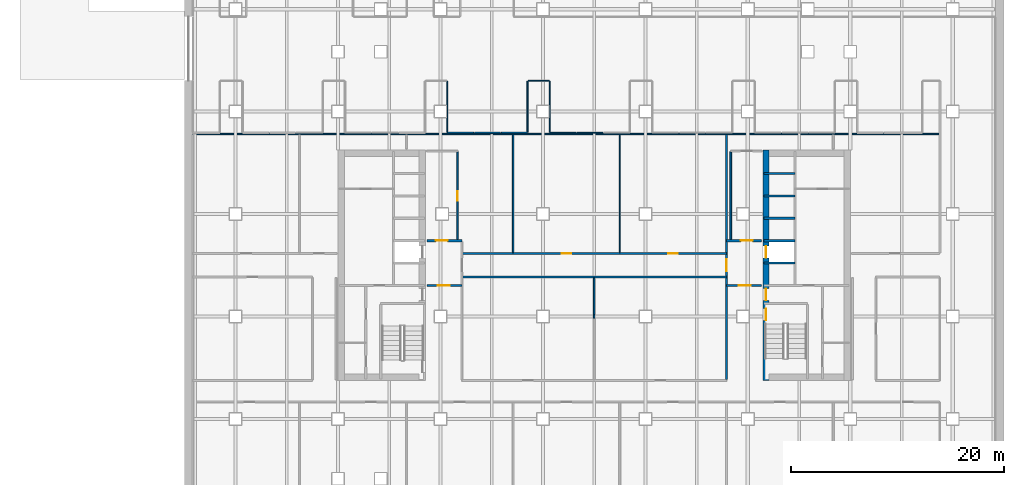
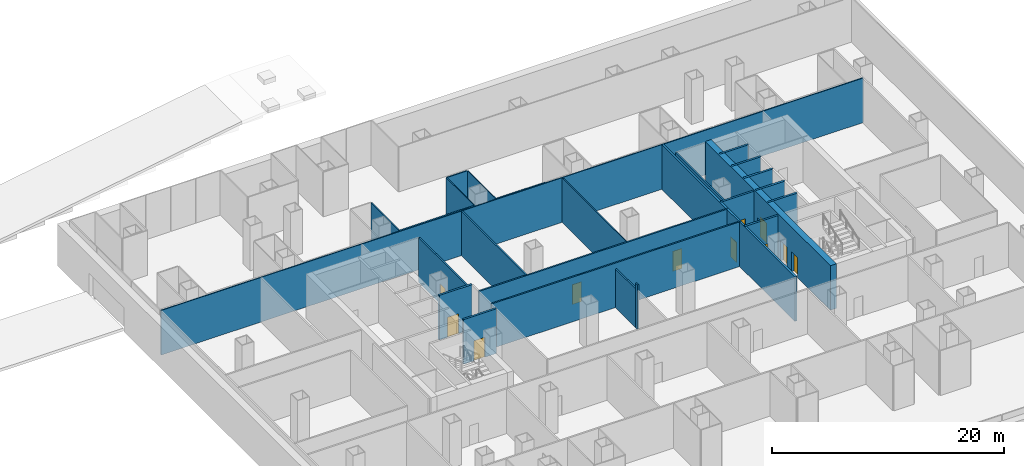
# One storey, part 8 of 11: 29 walls, 11 doors, 11 openings.
"""IFC4 building model written with IfcOpenShell, lengths in metres."""

from ifc_helpers import new_model, si_unit, direction, frame, frame_2d, origin, place, context, subcontext, project, spatial, rectangle, extrude, material, layer, layer_set, type_object, element, fill, save


model = new_model("IFC4")

# Units and contexts
model_context = context("Model", 3, precision=1e-05, world=origin(), true_north=direction((0.0, 1.0)))
body_context = subcontext(model_context, "Body", "Model", "MODEL_VIEW")
ifc_project = project(units=[si_unit("LENGTHUNIT", "METRE"), si_unit("AREAUNIT", "SQUARE_METRE"), si_unit("VOLUMEUNIT", "CUBIC_METRE"), si_unit("PLANEANGLEUNIT", "RADIAN"), si_unit("MASSUNIT", "GRAM", prefix="KILO")], contexts=[model_context])

# Site, building, storey
site_placement = place(None, origin())
site = spatial("IfcSite", under=ifc_project, at=site_placement, CompositionType="ELEMENT")
building_placement = place(site_placement, origin())
building = spatial("IfcBuilding", under=site, at=building_placement, Name="Cobrizo Arcos Hotel Tower", CompositionType="ELEMENT")
storey_placement = place(building_placement, frame((0.0, 0.0, -5.0)))
storey = spatial("IfcBuildingStorey", under=building, at=storey_placement, Name="B1", CompositionType="ELEMENT", Elevation=-5.0)

# Wall
ifc_material_1 = material(Name="Gypsum board partition")
ifc_layer_1 = layer(ifc_material_1, 0.14990234375)
ifc_layer_set_1 = layer_set([ifc_layer_1], Name="Corridor wall EI 60 150")
wall_type_1 = type_object("IfcWallType", Name="Corridor wall EI 60 150", PredefinedType="PARTITIONING", material=ifc_layer_set_1)
wall_1_placement = place(storey_placement, frame((-12.39990234375, -1.10009765625, 0.0), z_axis=(0.0, 0.0, 1.0), x_axis=(1.0, 0.0, 0.0)))
element("IfcWall", 1, at=wall_1_placement, inside=storey, type_object=wall_type_1, Name="Partition 072", PredefinedType="PARTITIONING", context=body_context, shape_type="SweptSolid", body=[
    extrude(rectangle(XDim=24.7998046875, YDim=0.14990234375, at=frame_2d((12.39990234375, 0.0))), origin(), (0.0, 0.0, 1.0), 4.699951171875),
])

# Wall, openings, doors
wall_2_placement = place(storey_placement, frame((-12.39990234375, 1.10009765625, 0.0), z_axis=(0.0, 0.0, 1.0), x_axis=(1.0, 0.0, 0.0)))
wall_2 = element("IfcWall", 2, at=wall_2_placement, inside=storey, type_object=wall_type_1, Name="Partition 077", PredefinedType="PARTITIONING", context=body_context, shape_type="SweptSolid", body=[
    extrude(rectangle(XDim=24.7998046875, YDim=0.14990234375, at=frame_2d((12.39990234375, 0.0))), origin(), (0.0, 0.0, 1.0), 4.699951171875),
])
opening_1_placement = place(wall_2_placement, frame((9.35009765625, 0.0, 0.0)))
opening_1 = element("IfcOpeningElement", 3, at=opening_1_placement, cuts=wall_2, Name="Opening RD-23", PredefinedType="OPENING", context=body_context, shape_type="SweptSolid", body=[
    extrude(rectangle(XDim=0.89990234375, YDim=2.10009765625, at=frame_2d((0.449951171875, 1.050048828125))), frame((0.0, 0.0869140625, 0.0), z_axis=(0.0, -1.0, 0.0), x_axis=(1.0, 0.0, 0.0)), (0.0, 0.0, 1.0), 0.173828125),
])
opening_2_placement = place(wall_2_placement, frame((19.35009765625, 0.0, 0.0)))
opening_2 = element("IfcOpeningElement", 4, at=opening_2_placement, cuts=wall_2, Name="Opening RD-24", PredefinedType="OPENING", context=body_context, shape_type="SweptSolid", body=[
    extrude(rectangle(XDim=0.89990234375, YDim=2.10009765625, at=frame_2d((0.449951171875, 1.050048828125))), frame((0.0, 0.0869140625, 0.0), z_axis=(0.0, -1.0, 0.0), x_axis=(1.0, 0.0, 0.0)), (0.0, 0.0, 1.0), 0.173828125),
])
ifc_material_2 = material(Name="Timber door leaf", Category="wood")
door_type_1 = type_object("IfcDoorType", Name="Room door FD30 900x2100", OperationType="SINGLE_SWING_LEFT", PredefinedType="DOOR", material=ifc_material_2)
door_1_placement = place(opening_1_placement, origin())
door_1 = element("IfcDoor", 5, at=door_1_placement, inside=storey, type_object=door_type_1, Name="Door RD-23", OperationType="SINGLE_SWING_LEFT", OverallHeight=2.10009765625, OverallWidth=0.89990234375, PredefinedType="DOOR", context=body_context, shape_type="SweptSolid", body=[
    extrude(rectangle(XDim=0.89990234375, YDim=2.10009765625, at=frame_2d((0.449951171875, 1.050048828125))), frame((0.0, 0.02490234375, 0.0), z_axis=(0.0, -1.0, 0.0), x_axis=(1.0, 0.0, 0.0)), (0.0, 0.0, 1.0), 0.050048828125),
])
fill(opening_1, door_1)
door_2_placement = place(opening_2_placement, origin())
door_2 = element("IfcDoor", 6, at=door_2_placement, inside=storey, type_object=door_type_1, Name="Door RD-24", OperationType="SINGLE_SWING_RIGHT", OverallHeight=2.10009765625, OverallWidth=0.89990234375, PredefinedType="DOOR", context=body_context, shape_type="SweptSolid", body=[
    extrude(rectangle(XDim=0.89990234375, YDim=2.10009765625, at=frame_2d((0.449951171875, 1.050048828125))), frame((0.0, 0.02490234375, 0.0), z_axis=(0.0, -1.0, 0.0), x_axis=(1.0, 0.0, 0.0)), (0.0, 0.0, 1.0), 0.050048828125),
])
fill(opening_2, door_2)

# Walls
wall_3_placement = place(storey_placement, frame((-13.75, 12.39990234375, 0.0), z_axis=(0.0, 0.0, 1.0), x_axis=(1.0, 0.0, 0.0)))
element("IfcWall", 7, at=wall_3_placement, inside=storey, type_object=wall_type_1, Name="Partition 101", PredefinedType="PARTITIONING", context=body_context, shape_type="SweptSolid", body=[
    extrude(rectangle(XDim=2.449951171875, YDim=0.14990234375, at=frame_2d((1.22509765625, 0.0))), origin(), (0.0, 0.0, 1.0), 4.699951171875),
])
wall_4_placement = place(storey_placement, frame((-11.199951171875, 12.39990234375, 0.0), z_axis=(0.0, 0.0, 1.0), x_axis=(1.0, 0.0, 0.0)))
element("IfcWall", 8, at=wall_4_placement, inside=storey, type_object=wall_type_1, Name="Partition 102", PredefinedType="PARTITIONING", context=body_context, shape_type="SweptSolid", body=[
    extrude(rectangle(XDim=2.39990234375, YDim=0.14990234375, at=frame_2d((1.199951171875, 0.0))), origin(), (0.0, 0.0, 1.0), 4.699951171875),
])
wall_5_placement = place(storey_placement, frame((-8.699951171875, 12.39990234375, 0.0), z_axis=(0.0, 0.0, 1.0), x_axis=(1.0, 0.0, 0.0)))
element("IfcWall", 9, at=wall_5_placement, inside=storey, type_object=wall_type_1, Name="Partition 103", PredefinedType="PARTITIONING", context=body_context, shape_type="SweptSolid", body=[
    extrude(rectangle(XDim=2.449951171875, YDim=0.14990234375, at=frame_2d((1.22509765625, 0.0))), origin(), (0.0, 0.0, 1.0), 4.699951171875),
])

# Wall, opening, door
wall_6_placement = place(storey_placement, frame((-12.800048828125, 2.39990234375, 0.0), z_axis=(0.0, 0.0, 1.0), x_axis=(0.0, 1.0, 0.0)))
wall_6 = element("IfcWall", 10, at=wall_6_placement, inside=storey, type_object=wall_type_1, Name="Partition 169", PredefinedType="PARTITIONING", context=body_context, shape_type="SweptSolid", body=[
    extrude(rectangle(XDim=8.22509765625, YDim=0.14990234375, at=frame_2d((4.112548828125, 0.0))), origin(), (0.0, 0.0, 1.0), 4.699951171875),
])
opening_3_placement = place(wall_6_placement, frame((3.64990234375, 0.0, 0.0)))
opening_3 = element("IfcOpeningElement", 11, at=opening_3_placement, cuts=wall_6, Name="Opening RD-22", PredefinedType="OPENING", context=body_context, shape_type="SweptSolid", body=[
    extrude(rectangle(XDim=0.89990234375, YDim=2.10009765625, at=frame_2d((0.449951171875, 1.050048828125))), frame((0.0, 0.0869140625, 0.0), z_axis=(0.0, -1.0, 0.0), x_axis=(1.0, 0.0, 0.0)), (0.0, 0.0, 1.0), 0.173828125),
])
door_3_placement = place(opening_3_placement, origin())
door_3 = element("IfcDoor", 12, at=door_3_placement, inside=storey, type_object=door_type_1, Name="Door RD-22", OperationType="SINGLE_SWING_LEFT", OverallHeight=2.10009765625, OverallWidth=0.89990234375, PredefinedType="DOOR", context=body_context, shape_type="SweptSolid", body=[
    extrude(rectangle(XDim=0.89990234375, YDim=2.10009765625, at=frame_2d((0.449951171875, 1.050048828125))), frame((0.0, 0.02490234375, 0.0), z_axis=(0.0, -1.0, 0.0), x_axis=(1.0, 0.0, 0.0)), (0.0, 0.0, 1.0), 0.050048828125),
])
fill(opening_3, door_3)

# Walls
wall_7_placement = place(storey_placement, frame((-7.60009765625, 1.175048828125, 0.0), z_axis=(0.0, 0.0, 1.0), x_axis=(0.0, 1.0, 0.0)))
element("IfcWall", 13, at=wall_7_placement, inside=storey, type_object=wall_type_1, Name="Partition 173", PredefinedType="PARTITIONING", context=body_context, shape_type="SweptSolid", body=[
    extrude(rectangle(XDim=11.074951171875, YDim=0.14990234375, at=frame_2d((5.53759765625, 0.0))), origin(), (0.0, 0.0, 1.0), 4.699951171875),
])
wall_8_placement = place(storey_placement, frame((0.0, -4.9541015625, 0.0), z_axis=(0.0, 0.0, 1.0), x_axis=(0.0, 1.0, 0.0)))
element("IfcWall", 14, at=wall_8_placement, inside=storey, type_object=wall_type_1, Name="Partition 180", PredefinedType="PARTITIONING", context=body_context, shape_type="SweptSolid", body=[
    extrude(rectangle(XDim=0.30810546875, YDim=0.14990234375, at=frame_2d((0.154052734375, 0.0))), origin(), (0.0, 0.0, 1.0), 4.699951171875),
])
wall_9_placement = place(storey_placement, frame((0.0, -4.64599609375, 0.0), z_axis=(0.0, 0.0, 1.0), x_axis=(0.0, 1.0, 0.0)))
element("IfcWall", 15, at=wall_9_placement, inside=storey, type_object=wall_type_1, Name="Partition 181", PredefinedType="PARTITIONING", context=body_context, shape_type="SweptSolid", body=[
    extrude(rectangle(XDim=3.470947265625, YDim=0.14990234375, at=frame_2d((1.7353515625, 0.0))), origin(), (0.0, 0.0, 1.0), 4.0830078125),
])
wall_10_placement = place(storey_placement, frame((12.800048828125, 2.39990234375, 0.0), z_axis=(0.0, 0.0, 1.0), x_axis=(0.0, 1.0, 0.0)))
element("IfcWall", 16, at=wall_10_placement, inside=storey, type_object=wall_type_1, Name="Partition 190", PredefinedType="PARTITIONING", context=body_context, shape_type="SweptSolid", body=[
    extrude(rectangle(XDim=8.22509765625, YDim=0.14990234375, at=frame_2d((4.112548828125, 0.0))), origin(), (0.0, 0.0, 1.0), 4.699951171875),
])
ifc_layer_2 = layer(ifc_material_1, 0.10009765625)
ifc_layer_set_2 = layer_set([ifc_layer_2], Name="Partition EI 30 100")
wall_type_2 = type_object("IfcWallType", Name="Partition EI 30 100", PredefinedType="PARTITIONING", material=ifc_layer_set_2)
wall_11_placement = place(storey_placement, frame((-37.60009765625, 12.300048828125, 0.0), z_axis=(0.0, 0.0, 1.0), x_axis=(1.0, 0.0, 0.0)))
element("IfcWall", 17, at=wall_11_placement, inside=storey, type_object=wall_type_2, Name="Partition 093", PredefinedType="PARTITIONING", context=body_context, shape_type="SweptSolid", body=[
    extrude(rectangle(XDim=70.0, YDim=0.10009765625, at=frame_2d((35.0, 0.0))), origin(), (0.0, 0.0, 1.0), 4.699951171875),
])
wall_12_placement = place(storey_placement, frame((-4.14990234375, 12.39990234375, 0.0), z_axis=(0.0, 0.0, 1.0), x_axis=(1.0, 0.0, 0.0)))
element("IfcWall", 18, at=wall_12_placement, inside=storey, type_object=wall_type_2, Name="Partition 104", PredefinedType="PARTITIONING", context=body_context, shape_type="SweptSolid", body=[
    extrude(rectangle(XDim=2.449951171875, YDim=0.10009765625, at=frame_2d((1.22509765625, 0.0))), origin(), (0.0, 0.0, 1.0), 4.699951171875),
])
wall_13_placement = place(storey_placement, frame((-1.60009765625, 12.39990234375, 0.0), z_axis=(0.0, 0.0, 1.0), x_axis=(1.0, 0.0, 0.0)))
element("IfcWall", 19, at=wall_13_placement, inside=storey, type_object=wall_type_2, Name="Partition 105", PredefinedType="PARTITIONING", context=body_context, shape_type="SweptSolid", body=[
    extrude(rectangle(XDim=2.400146484375, YDim=0.10009765625, at=frame_2d((1.2001953125, 0.0))), origin(), (0.0, 0.0, 1.0), 4.699951171875),
])
wall_14_placement = place(storey_placement, frame((-6.199951171875, 17.300048828125, 0.0), z_axis=(0.0, 0.0, 1.0), x_axis=(1.0, 0.0, 0.0)))
element("IfcWall", 20, at=wall_14_placement, inside=storey, type_object=wall_type_2, Name="Partition 118", PredefinedType="PARTITIONING", context=body_context, shape_type="SweptSolid", body=[
    extrude(rectangle(XDim=2.0, YDim=0.10009765625, at=frame_2d((1.0, 0.0))), origin(), (0.0, 0.0, 1.0), 4.699951171875),
])
for number, where, z_axis, x_axis, name in (
    (21, (-13.75, 12.47509765625, 0.0), (0.0, 0.0, 1.0), (0.0, 1.0, 0.0), "Partition 168"),
    (22, (-6.25, 12.47509765625, 0.0), (0.0, 0.0, 1.0), (0.0, 1.0, 0.0), "Partition 176"),
):
    element("IfcWall", number, at=place(storey_placement, frame(where, z_axis=z_axis, x_axis=x_axis)), inside=storey, type_object=wall_type_2, Name=name, PredefinedType="PARTITIONING", context=body_context, shape_type="SweptSolid", body=[
        extrude(rectangle(XDim=4.77490234375, YDim=0.10009765625, at=frame_2d((2.387451171875, 0.0))), origin(), (0.0, 0.0, 1.0), 4.699951171875),
    ])
wall_15_placement = place(storey_placement, frame((-4.14990234375, 12.449951171875, 0.0), z_axis=(0.0, 0.0, 1.0), x_axis=(0.0, 1.0, 0.0)))
element("IfcWall", 23, at=wall_15_placement, inside=storey, type_object=wall_type_2, Name="Partition 178", PredefinedType="PARTITIONING", context=body_context, shape_type="SweptSolid", body=[
    extrude(rectangle(XDim=4.800048828125, YDim=0.10009765625, at=frame_2d((2.39990234375, 0.0))), origin(), (0.0, 0.0, 1.0), 4.699951171875),
])
wall_16_placement = place(storey_placement, frame((2.39990234375, 1.175048828125, 0.0), z_axis=(0.0, 0.0, 1.0), x_axis=(0.0, 1.0, 0.0)))
element("IfcWall", 24, at=wall_16_placement, inside=storey, type_object=wall_type_2, Name="Partition 183", PredefinedType="PARTITIONING", context=body_context, shape_type="SweptSolid", body=[
    extrude(rectangle(XDim=11.074951171875, YDim=0.10009765625, at=frame_2d((5.53759765625, 0.0))), origin(), (0.0, 0.0, 1.0), 4.699951171875),
])

# Wall, openings, doors
ifc_material_3 = material(Name="Concrete f'c 60 MPa", Category="concrete")
ifc_layer_3 = layer(ifc_material_3, 0.60009765625)
ifc_layer_set_3 = layer_set([ifc_layer_3], Name="RC core wall 600 f'c 60")
wall_type_3 = type_object("IfcWallType", Name="RC core wall 600 f'c 60", PredefinedType="SHEAR", material=ifc_layer_set_3)
wall_17_placement = place(storey_placement, frame((16.10009765625, -10.800048828125, 0.0), z_axis=(0.0, 0.0, 1.0), x_axis=(0.0, 1.0, 0.0)))
wall_17 = element("IfcWall", 25, at=wall_17_placement, inside=storey, type_object=wall_type_3, Name="Core wall CW1, east core, inner face, B1", PredefinedType="SHEAR", context=body_context, shape_type="SweptSolid", body=[
    extrude(rectangle(XDim=21.60009765625, YDim=0.60009765625, at=frame_2d((10.800048828125, 0.0))), origin(), (0.0, 0.0, 1.0), 4.699951171875),
])
opening_4_placement = place(wall_17_placement, frame((11.5, 0.0, 0.0)))
opening_4 = element("IfcOpeningElement", 26, at=opening_4_placement, cuts=wall_17, Name="Opening LD-02", PredefinedType="OPENING", context=body_context, shape_type="SweptSolid", body=[
    extrude(rectangle(XDim=1.10009765625, YDim=2.10009765625, at=frame_2d((0.550048828125, 1.050048828125))), frame((0.0, 0.31201171875, 0.0), z_axis=(0.0, -1.0, 0.0), x_axis=(1.0, 0.0, 0.0)), (0.0, 0.0, 1.0), 0.6240234375),
])
opening_5_placement = place(wall_17_placement, frame((5.64208984375, 0.0, 0.0)))
opening_5 = element("IfcOpeningElement", 27, at=opening_5_placement, cuts=wall_17, Name="Opening SD-02", PredefinedType="OPENING", context=body_context, shape_type="SweptSolid", body=[
    extrude(rectangle(XDim=1.10009765625, YDim=2.10009765625, at=frame_2d((0.550048828125, 1.050048828125))), frame((0.0, 0.31201171875, 0.0), z_axis=(0.0, -1.0, 0.0), x_axis=(1.0, 0.0, 0.0)), (0.0, 0.0, 1.0), 0.6240234375),
])
opening_6_placement = place(wall_17_placement, frame((7.5, 0.0, 0.0)))
opening_6 = element("IfcOpeningElement", 28, at=opening_6_placement, cuts=wall_17, Name="Opening FD-05", PredefinedType="OPENING", context=body_context, shape_type="SweptSolid", body=[
    extrude(rectangle(XDim=1.10009765625, YDim=2.10009765625, at=frame_2d((0.550048828125, 1.050048828125))), frame((0.0, 0.31201171875, 0.0), z_axis=(0.0, -1.0, 0.0), x_axis=(1.0, 0.0, 0.0)), (0.0, 0.0, 1.0), 0.6240234375),
])
ifc_material_4 = material(Name="Steel door leaf", Category="steel")
door_type_2 = type_object("IfcDoorType", Name="Fire door FD60 1100x2100", OperationType="SINGLE_SWING_LEFT", PredefinedType="DOOR", material=ifc_material_4)
door_4_placement = place(opening_6_placement, origin())
door_4 = element("IfcDoor", 29, at=door_4_placement, inside=storey, type_object=door_type_2, Name="Door FD-05", OperationType="SINGLE_SWING_LEFT", OverallHeight=2.10009765625, OverallWidth=1.10009765625, PredefinedType="DOOR", context=body_context, shape_type="SweptSolid", body=[
    extrude(rectangle(XDim=1.10009765625, YDim=2.10009765625, at=frame_2d((0.550048828125, 1.050048828125))), frame((0.0, 0.02490234375, 0.0), z_axis=(0.0, -1.0, 0.0), x_axis=(1.0, 0.0, 0.0)), (0.0, 0.0, 1.0), 0.050048828125),
])
fill(opening_6, door_4)
door_type_3 = type_object("IfcDoorType", Name="Lift landing door 1100x2100", OperationType="SLIDING_TO_LEFT", PredefinedType="DOOR", material=ifc_material_4)
door_5_placement = place(opening_4_placement, origin())
door_5 = element("IfcDoor", 30, at=door_5_placement, inside=storey, type_object=door_type_3, Name="Lift landing door LD-02", OperationType="SLIDING_TO_LEFT", OverallHeight=2.10009765625, OverallWidth=1.10009765625, PredefinedType="DOOR", context=body_context, shape_type="SweptSolid", body=[
    extrude(rectangle(XDim=1.10009765625, YDim=2.10009765625, at=frame_2d((0.550048828125, 1.050048828125))), frame((0.0, 0.02490234375, 0.0), z_axis=(0.0, -1.0, 0.0), x_axis=(1.0, 0.0, 0.0)), (0.0, 0.0, 1.0), 0.050048828125),
])
fill(opening_4, door_5)
door_type_4 = type_object("IfcDoorType", Name="Stair door FD60S 1100x2100", OperationType="SINGLE_SWING_LEFT", PredefinedType="DOOR", material=ifc_material_4)
door_6_placement = place(opening_5_placement, origin())
door_6 = element("IfcDoor", 31, at=door_6_placement, inside=storey, type_object=door_type_4, Name="Door SD-02", OperationType="SINGLE_SWING_RIGHT", OverallHeight=2.10009765625, OverallWidth=1.10009765625, PredefinedType="DOOR", context=body_context, shape_type="SweptSolid", body=[
    extrude(rectangle(XDim=1.10009765625, YDim=2.10009765625, at=frame_2d((0.550048828125, 1.050048828125))), frame((0.0, 0.02490234375, 0.0), z_axis=(0.0, -1.0, 0.0), x_axis=(1.0, 0.0, 0.0)), (0.0, 0.0, 1.0), 0.050048828125),
])
fill(opening_5, door_6)

# Wall, opening, door
ifc_layer_4 = layer(ifc_material_1, 0.199951171875)
ifc_layer_set_4 = layer_set([ifc_layer_4], Name="Shaft wall EI 120 200")
wall_type_4 = type_object("IfcWallType", Name="Shaft wall EI 120 200", PredefinedType="PARTITIONING", material=ifc_layer_set_4)
wall_18_placement = place(storey_placement, frame((-15.679931640625, -1.89990234375, 0.0), z_axis=(0.0, 0.0, 1.0), x_axis=(1.0, 0.0, 0.0)))
wall_18 = element("IfcWall", 32, at=wall_18_placement, inside=storey, type_object=wall_type_4, Name="Partition 068", PredefinedType="PARTITIONING", context=body_context, shape_type="SweptSolid", body=[
    extrude(rectangle(XDim=3.280029296875, YDim=0.199951171875, at=frame_2d((1.64013671875, 0.0))), origin(), (0.0, 0.0, 1.0), 4.699951171875),
])
opening_7_placement = place(wall_18_placement, frame((1.030029296875, 0.0, 0.0)))
opening_7 = element("IfcOpeningElement", 33, at=opening_7_placement, cuts=wall_18, Name="Opening FD-02", PredefinedType="OPENING", context=body_context, shape_type="SweptSolid", body=[
    extrude(rectangle(XDim=1.10009765625, YDim=2.10009765625, at=frame_2d((0.550048828125, 1.050048828125))), frame((0.0, 0.112060546875, 0.0), z_axis=(0.0, -1.0, 0.0), x_axis=(1.0, 0.0, 0.0)), (0.0, 0.0, 1.0), 0.223876953125),
])
door_7_placement = place(opening_7_placement, origin())
door_7 = element("IfcDoor", 34, at=door_7_placement, inside=storey, type_object=door_type_2, Name="Door FD-02", OperationType="SINGLE_SWING_LEFT", OverallHeight=2.10009765625, OverallWidth=1.10009765625, PredefinedType="DOOR", context=body_context, shape_type="SweptSolid", body=[
    extrude(rectangle(XDim=1.10009765625, YDim=2.10009765625, at=frame_2d((0.550048828125, 1.050048828125))), frame((0.0, 0.02490234375, 0.0), z_axis=(0.0, -1.0, 0.0), x_axis=(1.0, 0.0, 0.0)), (0.0, 0.0, 1.0), 0.050048828125),
])
fill(opening_7, door_7)

wall_19_placement = place(storey_placement, frame((12.39990234375, -1.89990234375, 0.0), z_axis=(0.0, 0.0, 1.0), x_axis=(1.0, 0.0, 0.0)))
wall_19 = element("IfcWall", 35, at=wall_19_placement, inside=storey, type_object=wall_type_4, Name="Partition 069", PredefinedType="PARTITIONING", context=body_context, shape_type="SweptSolid", body=[
    extrude(rectangle(XDim=3.280029296875, YDim=0.199951171875, at=frame_2d((1.64013671875, 0.0))), origin(), (0.0, 0.0, 1.0), 4.699951171875),
])
opening_8_placement = place(wall_19_placement, frame((1.14990234375, 0.0, 0.0)))
opening_8 = element("IfcOpeningElement", 36, at=opening_8_placement, cuts=wall_19, Name="Opening FD-06", PredefinedType="OPENING", context=body_context, shape_type="SweptSolid", body=[
    extrude(rectangle(XDim=1.10009765625, YDim=2.10009765625, at=frame_2d((0.550048828125, 1.050048828125))), frame((0.0, 0.112060546875, 0.0), z_axis=(0.0, -1.0, 0.0), x_axis=(1.0, 0.0, 0.0)), (0.0, 0.0, 1.0), 0.223876953125),
])
door_8_placement = place(opening_8_placement, origin())
door_8 = element("IfcDoor", 37, at=door_8_placement, inside=storey, type_object=door_type_2, Name="Door FD-06", OperationType="SINGLE_SWING_LEFT", OverallHeight=2.10009765625, OverallWidth=1.10009765625, PredefinedType="DOOR", context=body_context, shape_type="SweptSolid", body=[
    extrude(rectangle(XDim=1.10009765625, YDim=2.10009765625, at=frame_2d((0.550048828125, 1.050048828125))), frame((0.0, 0.02490234375, 0.0), z_axis=(0.0, -1.0, 0.0), x_axis=(1.0, 0.0, 0.0)), (0.0, 0.0, 1.0), 0.050048828125),
])
fill(opening_8, door_8)

# Wall
wall_20_placement = place(storey_placement, frame((15.919921875, 0.199951171875, 0.0), z_axis=(0.0, 0.0, 1.0), x_axis=(1.0, 0.0, 0.0)))
element("IfcWall", 38, at=wall_20_placement, inside=storey, type_object=wall_type_4, Name="Partition 075", PredefinedType="PARTITIONING", context=body_context, shape_type="SweptSolid", body=[
    extrude(rectangle(XDim=2.880126953125, YDim=0.199951171875, at=frame_2d((1.43994140625, 0.0))), origin(), (0.0, 0.0, 1.0), 4.699951171875),
])

# Wall, opening, door
wall_21_placement = place(storey_placement, frame((-15.679931640625, 2.300048828125, 0.0), z_axis=(0.0, 0.0, 1.0), x_axis=(1.0, 0.0, 0.0)))
wall_21 = element("IfcWall", 39, at=wall_21_placement, inside=storey, type_object=wall_type_4, Name="Partition 080", PredefinedType="PARTITIONING", context=body_context, shape_type="SweptSolid", body=[
    extrude(rectangle(XDim=3.280029296875, YDim=0.199951171875, at=frame_2d((1.64013671875, 0.0))), origin(), (0.0, 0.0, 1.0), 4.699951171875),
])
opening_9_placement = place(wall_21_placement, frame((0.840087890625, 0.0, 0.0)))
opening_9 = element("IfcOpeningElement", 40, at=opening_9_placement, cuts=wall_21, Name="Opening FD-04", PredefinedType="OPENING", context=body_context, shape_type="SweptSolid", body=[
    extrude(rectangle(XDim=1.10009765625, YDim=2.10009765625, at=frame_2d((0.550048828125, 1.050048828125))), frame((0.0, 0.112060546875, 0.0), z_axis=(0.0, -1.0, 0.0), x_axis=(1.0, 0.0, 0.0)), (0.0, 0.0, 1.0), 0.223876953125),
])
door_9_placement = place(opening_9_placement, origin())
door_9 = element("IfcDoor", 41, at=door_9_placement, inside=storey, type_object=door_type_2, Name="Door FD-04", OperationType="SINGLE_SWING_LEFT", OverallHeight=2.10009765625, OverallWidth=1.10009765625, PredefinedType="DOOR", context=body_context, shape_type="SweptSolid", body=[
    extrude(rectangle(XDim=1.10009765625, YDim=2.10009765625, at=frame_2d((0.550048828125, 1.050048828125))), frame((0.0, 0.02490234375, 0.0), z_axis=(0.0, -1.0, 0.0), x_axis=(1.0, 0.0, 0.0)), (0.0, 0.0, 1.0), 0.050048828125),
])
fill(opening_9, door_9)

wall_22_placement = place(storey_placement, frame((12.39990234375, 2.300048828125, 0.0), z_axis=(0.0, 0.0, 1.0), x_axis=(1.0, 0.0, 0.0)))
wall_22 = element("IfcWall", 42, at=wall_22_placement, inside=storey, type_object=wall_type_4, Name="Partition 081", PredefinedType="PARTITIONING", context=body_context, shape_type="SweptSolid", body=[
    extrude(rectangle(XDim=3.280029296875, YDim=0.199951171875, at=frame_2d((1.64013671875, 0.0))), origin(), (0.0, 0.0, 1.0), 4.699951171875),
])
opening_10_placement = place(wall_22_placement, frame((1.340087890625, 0.0, 0.0)))
opening_10 = element("IfcOpeningElement", 43, at=opening_10_placement, cuts=wall_22, Name="Opening FD-08", PredefinedType="OPENING", context=body_context, shape_type="SweptSolid", body=[
    extrude(rectangle(XDim=1.10009765625, YDim=2.10009765625, at=frame_2d((0.550048828125, 1.050048828125))), frame((0.0, 0.112060546875, 0.0), z_axis=(0.0, -1.0, 0.0), x_axis=(1.0, 0.0, 0.0)), (0.0, 0.0, 1.0), 0.223876953125),
])
door_10_placement = place(opening_10_placement, origin())
door_10 = element("IfcDoor", 44, at=door_10_placement, inside=storey, type_object=door_type_2, Name="Door FD-08", OperationType="SINGLE_SWING_RIGHT", OverallHeight=2.10009765625, OverallWidth=1.10009765625, PredefinedType="DOOR", context=body_context, shape_type="SweptSolid", body=[
    extrude(rectangle(XDim=1.10009765625, YDim=2.10009765625, at=frame_2d((0.550048828125, 1.050048828125))), frame((0.0, 0.02490234375, 0.0), z_axis=(0.0, -1.0, 0.0), x_axis=(1.0, 0.0, 0.0)), (0.0, 0.0, 1.0), 0.050048828125),
])
fill(opening_10, door_10)

# Walls
for number, where, z_axis, x_axis, name in (
    (45, (15.919921875, 2.300048828125, 0.0), (0.0, 0.0, 1.0), (1.0, 0.0, 0.0), "Partition 082"),
    (46, (15.919921875, 4.39990234375, 0.0), (0.0, 0.0, 1.0), (1.0, 0.0, 0.0), "Partition 084"),
    (47, (15.919921875, 6.5, 0.0), (0.0, 0.0, 1.0), (1.0, 0.0, 0.0), "Partition 086"),
    (48, (15.919921875, 8.60009765625, 0.0), (0.0, 0.0, 1.0), (1.0, 0.0, 0.0), "Partition 090"),
):
    element("IfcWall", number, at=place(storey_placement, frame(where, z_axis=z_axis, x_axis=x_axis)), inside=storey, type_object=wall_type_4, Name=name, PredefinedType="PARTITIONING", context=body_context, shape_type="SweptSolid", body=[
        extrude(rectangle(XDim=2.880126953125, YDim=0.199951171875, at=frame_2d((1.43994140625, 0.0))), origin(), (0.0, 0.0, 1.0), 4.699951171875),
    ])

# Wall, opening, door
wall_23_placement = place(storey_placement, frame((12.39990234375, -10.72509765625, 0.0), z_axis=(0.0, 0.0, 1.0), x_axis=(0.0, 1.0, 0.0)))
wall_23 = element("IfcWall", 49, at=wall_23_placement, inside=storey, type_object=wall_type_4, Name="Partition 189", PredefinedType="PARTITIONING", context=body_context, shape_type="SweptSolid", body=[
    extrude(rectangle(XDim=22.97509765625, YDim=0.199951171875, at=frame_2d((11.487548828125, 0.0))), origin(), (0.0, 0.0, 1.0), 4.699951171875),
])
opening_11_placement = place(wall_23_placement, frame((10.175048828125, 0.0, 0.0)))
opening_11 = element("IfcOpeningElement", 50, at=opening_11_placement, cuts=wall_23, Name="Opening FD-07", PredefinedType="OPENING", context=body_context, shape_type="SweptSolid", body=[
    extrude(rectangle(XDim=1.10009765625, YDim=2.10009765625, at=frame_2d((0.550048828125, 1.050048828125))), frame((0.0, 0.112060546875, 0.0), z_axis=(0.0, -1.0, 0.0), x_axis=(1.0, 0.0, 0.0)), (0.0, 0.0, 1.0), 0.223876953125),
])
door_11_placement = place(opening_11_placement, origin())
door_11 = element("IfcDoor", 51, at=door_11_placement, inside=storey, type_object=door_type_2, Name="Door FD-07", OperationType="SINGLE_SWING_RIGHT", OverallHeight=2.10009765625, OverallWidth=1.10009765625, PredefinedType="DOOR", context=body_context, shape_type="SweptSolid", body=[
    extrude(rectangle(XDim=1.10009765625, YDim=2.10009765625, at=frame_2d((0.550048828125, 1.050048828125))), frame((0.0, 0.02490234375, 0.0), z_axis=(0.0, -1.0, 0.0), x_axis=(1.0, 0.0, 0.0)), (0.0, 0.0, 1.0), 0.050048828125),
])
fill(opening_11, door_11)

save(model, "model.ifc")
